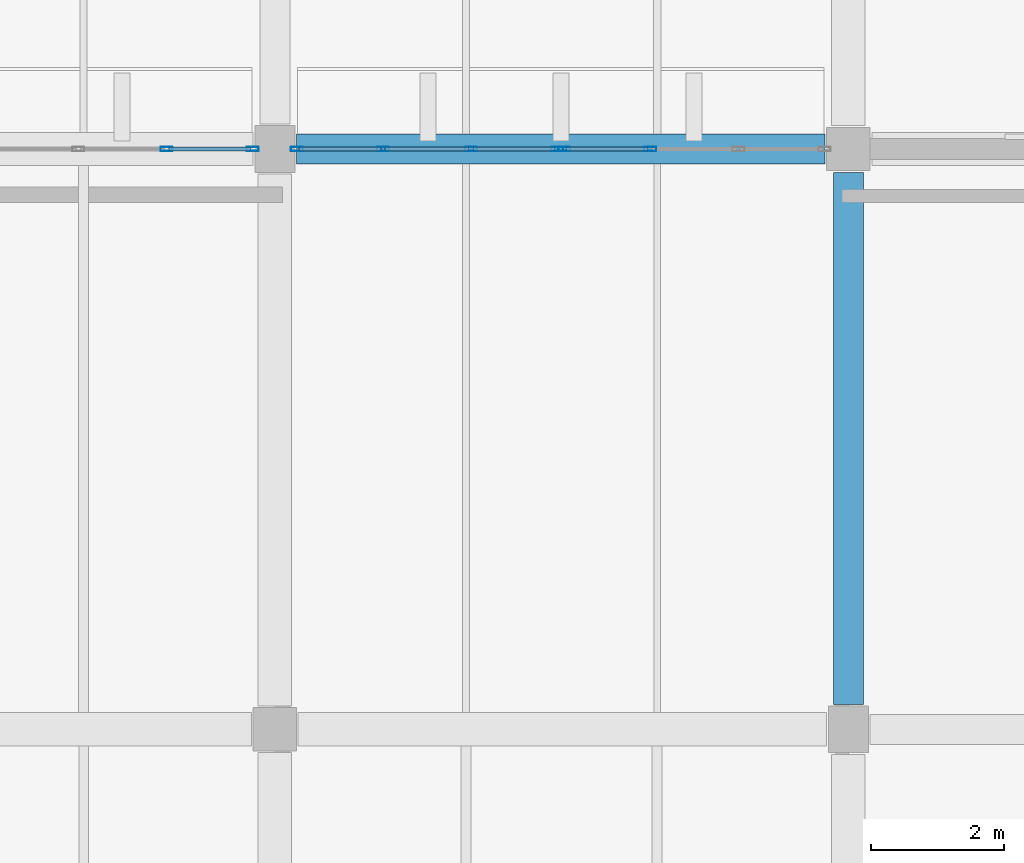
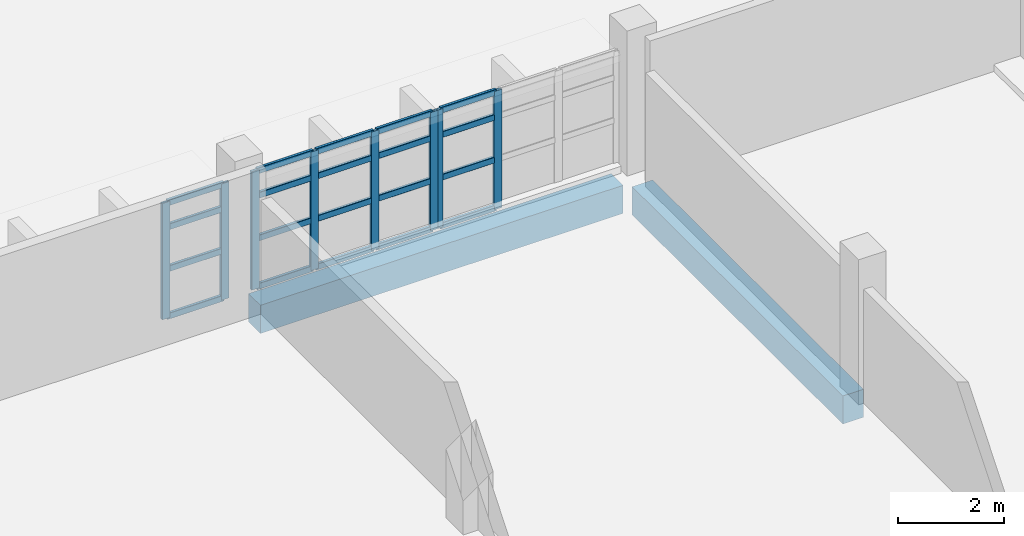
# One storey, part 61 of 93: 28 members, 2 beams, 3 elements without a shape of their own.
"""IFC4 building model written with IfcOpenShell, lengths in metres."""

from ifc_helpers import new_model, si_unit, direction, frame, origin, origin_2d, place, context, subcontext, project, spatial, rectangle, hollow_rectangle, extrude, material, material_profile, profile_set, type_object, element, aggregate, save


model = new_model("IFC4")

# Units and contexts
model_context = context("Model", 3, precision=1e-05, world=origin(), true_north=direction((0.0, 1.0)))
body_context = subcontext(model_context, "Body", "Model", "MODEL_VIEW")
ifc_project = project(units=[si_unit("LENGTHUNIT", "METRE"), si_unit("AREAUNIT", "SQUARE_METRE"), si_unit("VOLUMEUNIT", "CUBIC_METRE"), si_unit("PLANEANGLEUNIT", "RADIAN"), si_unit("MASSUNIT", "GRAM", prefix="KILO")], contexts=[model_context])

# Site, building, storey
site_placement = place(None, origin())
site = spatial("IfcSite", under=ifc_project, at=site_placement, CompositionType="ELEMENT")
building_placement = place(site_placement, origin())
building = spatial("IfcBuilding", under=site, at=building_placement, Name="Varnakota Cinema and Media Centre", CompositionType="ELEMENT")
storey_placement = place(building_placement, frame((0.0, 0.0, 12.0)))
storey = spatial("IfcBuildingStorey", under=building, at=storey_placement, Name="L03", CompositionType="ELEMENT", Elevation=12.0)

# Beams
ifc_material_1 = material(Name="Concrete M35", Category="concrete")
ifc_material_profile_1 = material_profile(ifc_material_1, rectangle(XDim=0.449951171875, YDim=0.64990234375, at=origin_2d()), Name="RCB 450x650")
ifc_profile_set_1 = profile_set([ifc_material_profile_1], Name="Concrete M35")
beam_type = type_object("IfcBeamType", Name="BM-RC-450x650", PredefinedType="BEAM", material=ifc_profile_set_1)
beam_1_placement = place(storey_placement, frame((17.52490234375, 78.199951171875, -0.5849609375), z_axis=(1.0, 0.0, 0.0), x_axis=(0.0, 1.0, 0.0)))
element("IfcBeam", 1, at=beam_1_placement, inside=storey, type_object=beam_type, Name="L03 girder C-D/10", PredefinedType="BEAM", context=body_context, shape_type="SweptSolid", body=[
    extrude(rectangle(XDim=0.449951171875, YDim=0.64990234375, at=origin_2d()), origin(), (0.0, 0.0, 1.0), 7.925048828125),
])
beam_2_placement = place(storey_placement, frame((25.800048828125, 69.875, -0.5849609375), z_axis=(0.0, 1.0, 0.0), x_axis=(-1.0, 0.0, 0.0)))
element("IfcBeam", 2, at=beam_2_placement, inside=storey, type_object=beam_type, Name="L03 girder D/9-10", PredefinedType="BEAM", context=body_context, shape_type="SweptSolid", body=[
    extrude(rectangle(XDim=0.449951171875, YDim=0.64990234375, at=origin_2d()), origin(), (0.0, 0.0, 1.0), 7.97509765625),
])

# Curtain wall, members
ifc_material_2 = material(Name="Thermally broken anodised aluminium AW-6063", Category="aluminium")
curtain_wall_type_1 = type_object("IfcCurtainWallType", Name="CW-STD-397x268", PredefinedType="USERDEFINED", material=ifc_material_2)
curtain_wall_1_placement = place(storey_placement, origin())
curtain_wall_1 = element("IfcCurtainWall", 3, at=curtain_wall_1_placement, inside=storey, type_object=curtain_wall_type_1, Name="L03 curtain wall CW-L03-V5-N-02-2", ObjectType="UNITISED CURTAIN WALL", PredefinedType="USERDEFINED")
ifc_material_3 = material(Name="Thermally broken anodised aluminium AW-6063", Category="aluminium")
ifc_material_profile_2 = material_profile(ifc_material_3, hollow_rectangle(XDim=0.06494140625, YDim=0.179931640625, WallThickness=0.00390625, InnerFilletRadius=0.00390625, OuterFilletRadius=0.008056640625, at=origin_2d()), Name="AL-MULLION 180x65x4")
ifc_profile_set_2 = profile_set([ifc_material_profile_2], Name="Thermally broken anodised aluminium AW-6063")
member_type_1 = type_object("IfcMemberType", Name="CWM-AL-180", PredefinedType="MULLION", material=ifc_profile_set_2)
member_1_placement = place(storey_placement, frame((15.577392578125, 78.199951171875, 0.0), z_axis=(0.0, 0.0, 1.0), x_axis=(0.0, 1.0, 0.0)))
member_1 = element("IfcMember", 4, at=member_1_placement, type_object=member_type_1, Name="CW44 mullion 3", PredefinedType="MULLION", context=body_context, shape_type="SweptSolid", body=[
    extrude(hollow_rectangle(XDim=0.06494140625, YDim=0.179931640625, WallThickness=0.00390625, InnerFilletRadius=0.00390625, OuterFilletRadius=0.008056640625, at=origin_2d()), origin(), (0.0, 0.0, 1.0), 2.68505859375),
])
member_2_placement = place(storey_placement, frame((16.867431640625, 78.199951171875, 0.0), z_axis=(0.0, 0.0, 1.0), x_axis=(0.0, 1.0, 0.0)))
member_2 = element("IfcMember", 5, at=member_2_placement, type_object=member_type_1, Name="CW44 mullion 4", PredefinedType="MULLION", context=body_context, shape_type="SweptSolid", body=[
    extrude(hollow_rectangle(XDim=0.06494140625, YDim=0.179931640625, WallThickness=0.00390625, InnerFilletRadius=0.00390625, OuterFilletRadius=0.008056640625, at=origin_2d()), origin(), (0.0, 0.0, 1.0), 2.68505859375),
])

ifc_material_4 = material(Name="Thermally broken anodised aluminium AW-6063", Category="aluminium")
curtain_wall_type_2 = type_object("IfcCurtainWallType", Name="CW-STD-397x274", PredefinedType="USERDEFINED", material=ifc_material_4)
curtain_wall_2_placement = place(storey_placement, origin())
curtain_wall_2 = element("IfcCurtainWall", 6, at=curtain_wall_2_placement, inside=storey, type_object=curtain_wall_type_2, Name="L03 curtain wall CW-L03-V5-N-03-1", ObjectType="UNITISED CURTAIN WALL", PredefinedType="USERDEFINED")
member_3_placement = place(storey_placement, frame((17.532470703125, 78.199951171875, 0.0), z_axis=(0.0, 0.0, 1.0), x_axis=(0.0, 1.0, 0.0)))
member_3 = element("IfcMember", 7, at=member_3_placement, type_object=member_type_1, Name="CW45 mullion 1", PredefinedType="MULLION", context=body_context, shape_type="SweptSolid", body=[
    extrude(hollow_rectangle(XDim=0.06494140625, YDim=0.179931640625, WallThickness=0.00390625, InnerFilletRadius=0.00390625, OuterFilletRadius=0.008056640625, at=origin_2d()), origin(), (0.0, 0.0, 1.0), 2.735107421875),
])
member_4_placement = place(storey_placement, frame((18.822509765625, 78.199951171875, 0.0), z_axis=(0.0, 0.0, 1.0), x_axis=(0.0, 1.0, 0.0)))
member_4 = element("IfcMember", 8, at=member_4_placement, type_object=member_type_1, Name="CW45 mullion 2", PredefinedType="MULLION", context=body_context, shape_type="SweptSolid", body=[
    extrude(hollow_rectangle(XDim=0.06494140625, YDim=0.179931640625, WallThickness=0.00390625, InnerFilletRadius=0.00390625, OuterFilletRadius=0.008056640625, at=origin_2d()), origin(), (0.0, 0.0, 1.0), 2.735107421875),
])
member_5_placement = place(storey_placement, frame((20.14501953125, 78.199951171875, 0.0), z_axis=(0.0, 0.0, 1.0), x_axis=(0.0, 1.0, 0.0)))
member_5 = element("IfcMember", 9, at=member_5_placement, type_object=member_type_1, Name="CW45 mullion 3", PredefinedType="MULLION", context=body_context, shape_type="SweptSolid", body=[
    extrude(hollow_rectangle(XDim=0.06494140625, YDim=0.179931640625, WallThickness=0.00390625, InnerFilletRadius=0.00390625, OuterFilletRadius=0.008056640625, at=origin_2d()), origin(), (0.0, 0.0, 1.0), 2.735107421875),
])
member_6_placement = place(storey_placement, frame((21.43505859375, 78.199951171875, 0.0), z_axis=(0.0, 0.0, 1.0), x_axis=(0.0, 1.0, 0.0)))
member_6 = element("IfcMember", 10, at=member_6_placement, type_object=member_type_1, Name="CW45 mullion 4", PredefinedType="MULLION", context=body_context, shape_type="SweptSolid", body=[
    extrude(hollow_rectangle(XDim=0.06494140625, YDim=0.179931640625, WallThickness=0.00390625, InnerFilletRadius=0.00390625, OuterFilletRadius=0.008056640625, at=origin_2d()), origin(), (0.0, 0.0, 1.0), 2.735107421875),
])

curtain_wall_3_placement = place(storey_placement, origin())
curtain_wall_3 = element("IfcCurtainWall", 11, at=curtain_wall_3_placement, inside=storey, type_object=curtain_wall_type_2, Name="L03 curtain wall CW-L03-V5-N-03-2", ObjectType="UNITISED CURTAIN WALL", PredefinedType="USERDEFINED")
member_7_placement = place(storey_placement, frame((21.5400390625, 78.199951171875, 0.0), z_axis=(0.0, 0.0, 1.0), x_axis=(0.0, 1.0, 0.0)))
member_7 = element("IfcMember", 12, at=member_7_placement, type_object=member_type_1, Name="CW45 mullion 1", PredefinedType="MULLION", context=body_context, shape_type="SweptSolid", body=[
    extrude(hollow_rectangle(XDim=0.06494140625, YDim=0.179931640625, WallThickness=0.00390625, InnerFilletRadius=0.00390625, OuterFilletRadius=0.008056640625, at=origin_2d()), origin(), (0.0, 0.0, 1.0), 2.735107421875),
])
member_8_placement = place(storey_placement, frame((22.830078125, 78.199951171875, 0.0), z_axis=(0.0, 0.0, 1.0), x_axis=(0.0, 1.0, 0.0)))
member_8 = element("IfcMember", 13, at=member_8_placement, type_object=member_type_1, Name="CW45 mullion 2", PredefinedType="MULLION", context=body_context, shape_type="SweptSolid", body=[
    extrude(hollow_rectangle(XDim=0.06494140625, YDim=0.179931640625, WallThickness=0.00390625, InnerFilletRadius=0.00390625, OuterFilletRadius=0.008056640625, at=origin_2d()), origin(), (0.0, 0.0, 1.0), 2.735107421875),
])

# Member
ifc_material_5 = material(Name="Thermally broken anodised aluminium AW-6063", Category="aluminium")
ifc_material_profile_3 = material_profile(ifc_material_5, hollow_rectangle(XDim=0.06494140625, YDim=0.139892578125, WallThickness=0.00390625, InnerFilletRadius=0.00390625, OuterFilletRadius=0.008056640625, at=origin_2d()), Name="AL-TRANSOM 140x65x4")
ifc_profile_set_3 = profile_set([ifc_material_profile_3], Name="Thermally broken anodised aluminium AW-6063")
member_type_2 = type_object("IfcMemberType", Name="CWT-AL-140", PredefinedType="USERDEFINED", material=ifc_profile_set_3)
member_9_placement = place(storey_placement, frame((15.610107421875, 78.199951171875, 0.032470703125), z_axis=(1.0, 0.0, 0.0), x_axis=(0.0, 1.0, 0.0)))
member_9 = element("IfcMember", 14, at=member_9_placement, type_object=member_type_2, Name="CW44 transom 3.1", ObjectType="TRANSOM", PredefinedType="USERDEFINED", context=body_context, shape_type="SweptSolid", body=[
    extrude(hollow_rectangle(XDim=0.06494140625, YDim=0.139892578125, WallThickness=0.00390625, InnerFilletRadius=0.00390625, OuterFilletRadius=0.008056640625, at=origin_2d()), origin(), (0.0, 0.0, 1.0), 1.224853515625),
])

member_10_placement = place(storey_placement, frame((15.610107421875, 78.199951171875, 1.127685546875), z_axis=(1.0, 0.0, 0.0), x_axis=(0.0, 1.0, 0.0)))
member_10 = element("IfcMember", 15, at=member_10_placement, type_object=member_type_2, Name="CW44 transom 3.2", ObjectType="TRANSOM", PredefinedType="USERDEFINED", context=body_context, shape_type="SweptSolid", body=[
    extrude(hollow_rectangle(XDim=0.06494140625, YDim=0.139892578125, WallThickness=0.00390625, InnerFilletRadius=0.00390625, OuterFilletRadius=0.008056640625, at=origin_2d()), origin(), (0.0, 0.0, 1.0), 1.224853515625),
])

member_11_placement = place(storey_placement, frame((15.610107421875, 78.199951171875, 2.09423828125), z_axis=(1.0, 0.0, 0.0), x_axis=(0.0, 1.0, 0.0)))
member_11 = element("IfcMember", 16, at=member_11_placement, type_object=member_type_2, Name="CW44 transom 3.3", ObjectType="TRANSOM", PredefinedType="USERDEFINED", context=body_context, shape_type="SweptSolid", body=[
    extrude(hollow_rectangle(XDim=0.06494140625, YDim=0.139892578125, WallThickness=0.00390625, InnerFilletRadius=0.00390625, OuterFilletRadius=0.008056640625, at=origin_2d()), origin(), (0.0, 0.0, 1.0), 1.224853515625),
])

member_12_placement = place(storey_placement, frame((15.610107421875, 78.199951171875, 2.652587890625), z_axis=(1.0, 0.0, 0.0), x_axis=(0.0, 1.0, 0.0)))
member_12 = element("IfcMember", 17, at=member_12_placement, type_object=member_type_2, Name="CW44 transom 3.4", ObjectType="TRANSOM", PredefinedType="USERDEFINED", context=body_context, shape_type="SweptSolid", body=[
    extrude(hollow_rectangle(XDim=0.06494140625, YDim=0.139892578125, WallThickness=0.00390625, InnerFilletRadius=0.00390625, OuterFilletRadius=0.008056640625, at=origin_2d()), origin(), (0.0, 0.0, 1.0), 1.224853515625),
])

aggregate(curtain_wall_1, [member_1, member_2, member_9, member_10, member_11, member_12])

member_13_placement = place(storey_placement, frame((17.56494140625, 78.199951171875, 0.032470703125), z_axis=(1.0, 0.0, 0.0), x_axis=(0.0, 1.0, 0.0)))
member_13 = element("IfcMember", 18, at=member_13_placement, type_object=member_type_2, Name="CW45 transom 1.1", ObjectType="TRANSOM", PredefinedType="USERDEFINED", context=body_context, shape_type="SweptSolid", body=[
    extrude(hollow_rectangle(XDim=0.06494140625, YDim=0.139892578125, WallThickness=0.00390625, InnerFilletRadius=0.00390625, OuterFilletRadius=0.008056640625, at=origin_2d()), origin(), (0.0, 0.0, 1.0), 1.22509765625),
])

member_14_placement = place(storey_placement, frame((17.56494140625, 78.199951171875, 1.148681640625), z_axis=(1.0, 0.0, 0.0), x_axis=(0.0, 1.0, 0.0)))
member_14 = element("IfcMember", 19, at=member_14_placement, type_object=member_type_2, Name="CW45 transom 1.2", ObjectType="TRANSOM", PredefinedType="USERDEFINED", context=body_context, shape_type="SweptSolid", body=[
    extrude(hollow_rectangle(XDim=0.06494140625, YDim=0.139892578125, WallThickness=0.00390625, InnerFilletRadius=0.00390625, OuterFilletRadius=0.008056640625, at=origin_2d()), origin(), (0.0, 0.0, 1.0), 1.22509765625),
])

member_15_placement = place(storey_placement, frame((17.56494140625, 78.199951171875, 2.13330078125), z_axis=(1.0, 0.0, 0.0), x_axis=(0.0, 1.0, 0.0)))
member_15 = element("IfcMember", 20, at=member_15_placement, type_object=member_type_2, Name="CW45 transom 1.3", ObjectType="TRANSOM", PredefinedType="USERDEFINED", context=body_context, shape_type="SweptSolid", body=[
    extrude(hollow_rectangle(XDim=0.06494140625, YDim=0.139892578125, WallThickness=0.00390625, InnerFilletRadius=0.00390625, OuterFilletRadius=0.008056640625, at=origin_2d()), origin(), (0.0, 0.0, 1.0), 1.22509765625),
])

member_16_placement = place(storey_placement, frame((17.56494140625, 78.199951171875, 2.702392578125), z_axis=(1.0, 0.0, 0.0), x_axis=(0.0, 1.0, 0.0)))
member_16 = element("IfcMember", 21, at=member_16_placement, type_object=member_type_2, Name="CW45 transom 1.4", ObjectType="TRANSOM", PredefinedType="USERDEFINED", context=body_context, shape_type="SweptSolid", body=[
    extrude(hollow_rectangle(XDim=0.06494140625, YDim=0.139892578125, WallThickness=0.00390625, InnerFilletRadius=0.00390625, OuterFilletRadius=0.008056640625, at=origin_2d()), origin(), (0.0, 0.0, 1.0), 1.22509765625),
])

member_17_placement = place(storey_placement, frame((18.85498046875, 78.199951171875, 0.032470703125), z_axis=(1.0, 0.0, 0.0), x_axis=(0.0, 1.0, 0.0)))
member_17 = element("IfcMember", 22, at=member_17_placement, type_object=member_type_2, Name="CW45 transom 2.1", ObjectType="TRANSOM", PredefinedType="USERDEFINED", context=body_context, shape_type="SweptSolid", body=[
    extrude(hollow_rectangle(XDim=0.06494140625, YDim=0.139892578125, WallThickness=0.00390625, InnerFilletRadius=0.00390625, OuterFilletRadius=0.008056640625, at=origin_2d()), origin(), (0.0, 0.0, 1.0), 1.257568359375),
])

member_18_placement = place(storey_placement, frame((18.85498046875, 78.199951171875, 1.148681640625), z_axis=(1.0, 0.0, 0.0), x_axis=(0.0, 1.0, 0.0)))
member_18 = element("IfcMember", 23, at=member_18_placement, type_object=member_type_2, Name="CW45 transom 2.2", ObjectType="TRANSOM", PredefinedType="USERDEFINED", context=body_context, shape_type="SweptSolid", body=[
    extrude(hollow_rectangle(XDim=0.06494140625, YDim=0.139892578125, WallThickness=0.00390625, InnerFilletRadius=0.00390625, OuterFilletRadius=0.008056640625, at=origin_2d()), origin(), (0.0, 0.0, 1.0), 1.257568359375),
])

member_19_placement = place(storey_placement, frame((18.85498046875, 78.199951171875, 2.13330078125), z_axis=(1.0, 0.0, 0.0), x_axis=(0.0, 1.0, 0.0)))
member_19 = element("IfcMember", 24, at=member_19_placement, type_object=member_type_2, Name="CW45 transom 2.3", ObjectType="TRANSOM", PredefinedType="USERDEFINED", context=body_context, shape_type="SweptSolid", body=[
    extrude(hollow_rectangle(XDim=0.06494140625, YDim=0.139892578125, WallThickness=0.00390625, InnerFilletRadius=0.00390625, OuterFilletRadius=0.008056640625, at=origin_2d()), origin(), (0.0, 0.0, 1.0), 1.257568359375),
])

member_20_placement = place(storey_placement, frame((18.85498046875, 78.199951171875, 2.702392578125), z_axis=(1.0, 0.0, 0.0), x_axis=(0.0, 1.0, 0.0)))
member_20 = element("IfcMember", 25, at=member_20_placement, type_object=member_type_2, Name="CW45 transom 2.4", ObjectType="TRANSOM", PredefinedType="USERDEFINED", context=body_context, shape_type="SweptSolid", body=[
    extrude(hollow_rectangle(XDim=0.06494140625, YDim=0.139892578125, WallThickness=0.00390625, InnerFilletRadius=0.00390625, OuterFilletRadius=0.008056640625, at=origin_2d()), origin(), (0.0, 0.0, 1.0), 1.257568359375),
])

member_21_placement = place(storey_placement, frame((20.177490234375, 78.199951171875, 0.032470703125), z_axis=(1.0, 0.0, 0.0), x_axis=(0.0, 1.0, 0.0)))
member_21 = element("IfcMember", 26, at=member_21_placement, type_object=member_type_2, Name="CW45 transom 3.1", ObjectType="TRANSOM", PredefinedType="USERDEFINED", context=body_context, shape_type="SweptSolid", body=[
    extrude(hollow_rectangle(XDim=0.06494140625, YDim=0.139892578125, WallThickness=0.00390625, InnerFilletRadius=0.00390625, OuterFilletRadius=0.008056640625, at=origin_2d()), origin(), (0.0, 0.0, 1.0), 1.22509765625),
])

member_22_placement = place(storey_placement, frame((20.177490234375, 78.199951171875, 1.148681640625), z_axis=(1.0, 0.0, 0.0), x_axis=(0.0, 1.0, 0.0)))
member_22 = element("IfcMember", 27, at=member_22_placement, type_object=member_type_2, Name="CW45 transom 3.2", ObjectType="TRANSOM", PredefinedType="USERDEFINED", context=body_context, shape_type="SweptSolid", body=[
    extrude(hollow_rectangle(XDim=0.06494140625, YDim=0.139892578125, WallThickness=0.00390625, InnerFilletRadius=0.00390625, OuterFilletRadius=0.008056640625, at=origin_2d()), origin(), (0.0, 0.0, 1.0), 1.22509765625),
])

member_23_placement = place(storey_placement, frame((20.177490234375, 78.199951171875, 2.13330078125), z_axis=(1.0, 0.0, 0.0), x_axis=(0.0, 1.0, 0.0)))
member_23 = element("IfcMember", 28, at=member_23_placement, type_object=member_type_2, Name="CW45 transom 3.3", ObjectType="TRANSOM", PredefinedType="USERDEFINED", context=body_context, shape_type="SweptSolid", body=[
    extrude(hollow_rectangle(XDim=0.06494140625, YDim=0.139892578125, WallThickness=0.00390625, InnerFilletRadius=0.00390625, OuterFilletRadius=0.008056640625, at=origin_2d()), origin(), (0.0, 0.0, 1.0), 1.22509765625),
])

member_24_placement = place(storey_placement, frame((20.177490234375, 78.199951171875, 2.702392578125), z_axis=(1.0, 0.0, 0.0), x_axis=(0.0, 1.0, 0.0)))
member_24 = element("IfcMember", 29, at=member_24_placement, type_object=member_type_2, Name="CW45 transom 3.4", ObjectType="TRANSOM", PredefinedType="USERDEFINED", context=body_context, shape_type="SweptSolid", body=[
    extrude(hollow_rectangle(XDim=0.06494140625, YDim=0.139892578125, WallThickness=0.00390625, InnerFilletRadius=0.00390625, OuterFilletRadius=0.008056640625, at=origin_2d()), origin(), (0.0, 0.0, 1.0), 1.22509765625),
])

aggregate(curtain_wall_2, [member_3, member_4, member_5, member_6, member_13, member_14, member_15, member_16, member_17, member_18, member_19, member_20, member_21, member_22, member_23, member_24])

member_25_placement = place(storey_placement, frame((21.572509765625, 78.199951171875, 0.032470703125), z_axis=(1.0, 0.0, 0.0), x_axis=(0.0, 1.0, 0.0)))
member_25 = element("IfcMember", 30, at=member_25_placement, type_object=member_type_2, Name="CW45 transom 1.1", ObjectType="TRANSOM", PredefinedType="USERDEFINED", context=body_context, shape_type="SweptSolid", body=[
    extrude(hollow_rectangle(XDim=0.06494140625, YDim=0.139892578125, WallThickness=0.00390625, InnerFilletRadius=0.00390625, OuterFilletRadius=0.008056640625, at=origin_2d()), origin(), (0.0, 0.0, 1.0), 1.22509765625),
])

member_26_placement = place(storey_placement, frame((21.572509765625, 78.199951171875, 1.148681640625), z_axis=(1.0, 0.0, 0.0), x_axis=(0.0, 1.0, 0.0)))
member_26 = element("IfcMember", 31, at=member_26_placement, type_object=member_type_2, Name="CW45 transom 1.2", ObjectType="TRANSOM", PredefinedType="USERDEFINED", context=body_context, shape_type="SweptSolid", body=[
    extrude(hollow_rectangle(XDim=0.06494140625, YDim=0.139892578125, WallThickness=0.00390625, InnerFilletRadius=0.00390625, OuterFilletRadius=0.008056640625, at=origin_2d()), origin(), (0.0, 0.0, 1.0), 1.22509765625),
])

member_27_placement = place(storey_placement, frame((21.572509765625, 78.199951171875, 2.13330078125), z_axis=(1.0, 0.0, 0.0), x_axis=(0.0, 1.0, 0.0)))
member_27 = element("IfcMember", 32, at=member_27_placement, type_object=member_type_2, Name="CW45 transom 1.3", ObjectType="TRANSOM", PredefinedType="USERDEFINED", context=body_context, shape_type="SweptSolid", body=[
    extrude(hollow_rectangle(XDim=0.06494140625, YDim=0.139892578125, WallThickness=0.00390625, InnerFilletRadius=0.00390625, OuterFilletRadius=0.008056640625, at=origin_2d()), origin(), (0.0, 0.0, 1.0), 1.22509765625),
])

member_28_placement = place(storey_placement, frame((21.572509765625, 78.199951171875, 2.702392578125), z_axis=(1.0, 0.0, 0.0), x_axis=(0.0, 1.0, 0.0)))
member_28 = element("IfcMember", 33, at=member_28_placement, type_object=member_type_2, Name="CW45 transom 1.4", ObjectType="TRANSOM", PredefinedType="USERDEFINED", context=body_context, shape_type="SweptSolid", body=[
    extrude(hollow_rectangle(XDim=0.06494140625, YDim=0.139892578125, WallThickness=0.00390625, InnerFilletRadius=0.00390625, OuterFilletRadius=0.008056640625, at=origin_2d()), origin(), (0.0, 0.0, 1.0), 1.22509765625),
])

aggregate(curtain_wall_3, [member_7, member_8, member_25, member_26, member_27, member_28])

save(model, "model.ifc")
